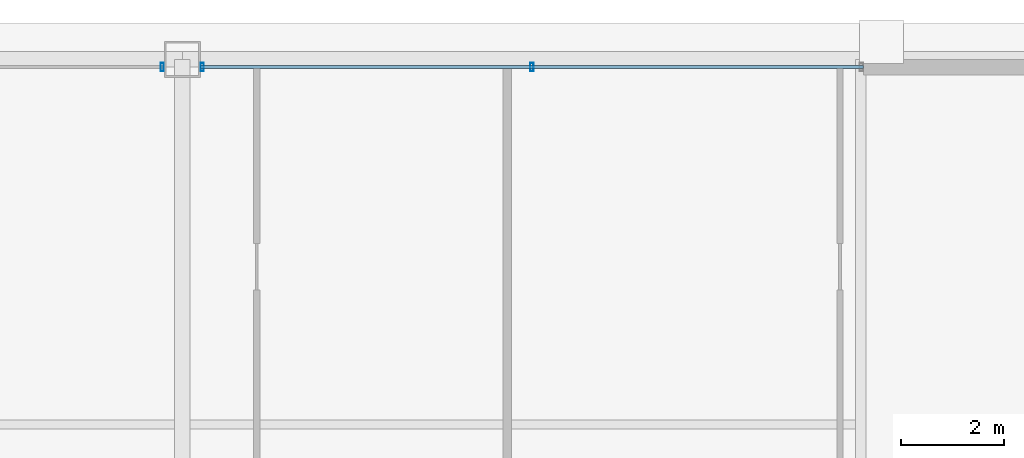
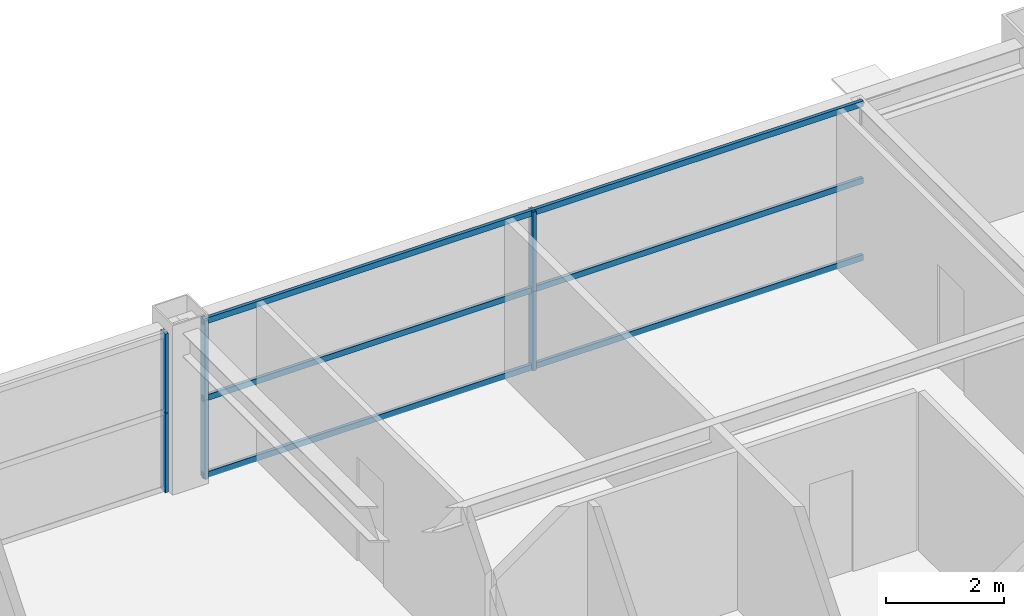
# One storey, part 28 of 37: 9 members, 2 elements without a shape of their own.
"""IFC4 building model written with IfcOpenShell, lengths in metres."""

from ifc_helpers import new_model, si_unit, direction, frame, origin, origin_2d, place, context, subcontext, project, spatial, hollow_rectangle, extrude, source, transform, mapped, material, layer, layer_set, material_profile, profile_set, type_object, element, aggregate, save


model = new_model("IFC4")

# Units and contexts
model_context = context("Model", 3, precision=1e-05, world=origin(), true_north=direction((0.0, 1.0)))
body_context = subcontext(model_context, "Body", "Model", "MODEL_VIEW")
ifc_project = project(units=[si_unit("LENGTHUNIT", "METRE"), si_unit("AREAUNIT", "SQUARE_METRE"), si_unit("VOLUMEUNIT", "CUBIC_METRE"), si_unit("PLANEANGLEUNIT", "RADIAN"), si_unit("MASSUNIT", "GRAM", prefix="KILO"), si_unit("THERMODYNAMICTEMPERATUREUNIT", "KELVIN"), si_unit("POWERUNIT", "WATT")], contexts=[model_context])

# Site, building, storey
site_placement = place(None, origin())
site = spatial("IfcSite", under=ifc_project, at=site_placement, CompositionType="ELEMENT")
building_placement = place(site_placement, origin())
building = spatial("IfcBuilding", under=site, at=building_placement, Name="Yuzanri Waterfront Tower", CompositionType="ELEMENT")
storey_placement = place(building_placement, frame((0.0, 0.0, 245.10009765625)))
storey = spatial("IfcBuildingStorey", under=building, at=storey_placement, Name="L65", CompositionType="ELEMENT", Elevation=245.10009765625)

# Curtain wall, members
ifc_material_1 = material(Name="Anodized Architectural Bronze", Category="metal")
ifc_layer = layer(ifc_material_1, 0.159912109375)
ifc_layer_set = layer_set([ifc_layer], Name="Anodized Architectural Bronze")
curtain_wall_type = type_object("IfcCurtainWallType", Name="Anodized Bronze Mid-Rise Residential Acoustic Unitized Curtain Wall 7200", PredefinedType="NOTDEFINED", material=ifc_layer_set)
curtain_wall_1_placement = place(storey_placement, origin())
curtain_wall_1 = element("IfcCurtainWall", 1, at=curtain_wall_1_placement, inside=storey, type_object=curtain_wall_type, Name="L65 Curtain Wall CW-L65-NL", PredefinedType="NOTDEFINED")
ifc_material_2 = material(Name="Anodized Architectural Bronze", Category="metal")
ifc_material_profile_1 = material_profile(ifc_material_2, hollow_rectangle(XDim=0.06494140625, YDim=0.159912109375, WallThickness=0.00341796875, at=origin_2d()), Name="CWM 65x160")
ifc_profile_set_1 = profile_set([ifc_material_profile_1], Name="Anodized Architectural Bronze")
member_type_1 = type_object("IfcMemberType", Name="Anodized Bronze Upper-Zone Curtain-Wall Mullion 65x160", PredefinedType="MULLION", material=ifc_profile_set_1)
shared_shape_1 = source(origin(), body_context, "Body", "SweptSolid", [
    extrude(hollow_rectangle(XDim=0.06494140625, YDim=0.159912109375, WallThickness=0.00341796875, at=origin_2d()), origin(), (0.0, 0.0, 1.0), 1.637939453125),
])
member_1_placement = place(storey_placement, frame((36.610107421875, 46.25, 0.0), z_axis=(0.0, 0.0, 1.0), x_axis=(1.0, 0.0, 0.0)))
member_1 = element("IfcMember", 2, at=member_1_placement, type_object=member_type_1, Name="CW-L65-NL Lower Mullion 02", PredefinedType="MULLION", context=body_context, shape_type="MappedRepresentation", body=[
    mapped(shared_shape_1, transform((0.0, 0.0, 0.0), scale=1.0)),
])
member_2_placement = place(storey_placement, frame((36.610107421875, 46.25, 1.641845703125), z_axis=(0.0, 0.0, 1.0), x_axis=(1.0, 0.0, 0.0)))
member_2 = element("IfcMember", 3, at=member_2_placement, type_object=member_type_1, Name="CW-L65-NL Upper Mullion 02", PredefinedType="MULLION", context=body_context, shape_type="MappedRepresentation", body=[
    mapped(shared_shape_1, transform((0.0, 0.0, 0.0), scale=1.0)),
])
aggregate(curtain_wall_1, [member_1, member_2])

curtain_wall_2_placement = place(storey_placement, origin())
curtain_wall_2 = element("IfcCurtainWall", 4, at=curtain_wall_2_placement, inside=storey, type_object=curtain_wall_type, Name="L65 Curtain Wall CW-L65-NR", PredefinedType="NOTDEFINED")
member_3_placement = place(storey_placement, frame((37.389892578125, 46.25, 0.0), z_axis=(0.0, 0.0, 1.0), x_axis=(1.0, 0.0, 0.0)))
member_3 = element("IfcMember", 5, at=member_3_placement, type_object=member_type_1, Name="CW-L65-NR Lower Mullion 00", PredefinedType="MULLION", context=body_context, shape_type="MappedRepresentation", body=[
    mapped(shared_shape_1, transform((0.0, 0.0, 0.0), scale=1.0)),
])
member_4_placement = place(storey_placement, frame((37.389892578125, 46.25, 1.641845703125), z_axis=(0.0, 0.0, 1.0), x_axis=(1.0, 0.0, 0.0)))
member_4 = element("IfcMember", 6, at=member_4_placement, type_object=member_type_1, Name="CW-L65-NR Upper Mullion 00", PredefinedType="MULLION", context=body_context, shape_type="MappedRepresentation", body=[
    mapped(shared_shape_1, transform((0.0, 0.0, 0.0), scale=1.0)),
])
member_5_placement = place(storey_placement, frame((43.800048828125, 46.25, 0.0), z_axis=(0.0, 0.0, 1.0), x_axis=(1.0, 0.0, 0.0)))
member_5 = element("IfcMember", 7, at=member_5_placement, type_object=member_type_1, Name="CW-L65-NR Lower Mullion 01", PredefinedType="MULLION", context=body_context, shape_type="MappedRepresentation", body=[
    mapped(shared_shape_1, transform((0.0, 0.0, 0.0), scale=1.0)),
])
member_6_placement = place(storey_placement, frame((43.800048828125, 46.25, 1.641845703125), z_axis=(0.0, 0.0, 1.0), x_axis=(1.0, 0.0, 0.0)))
member_6 = element("IfcMember", 8, at=member_6_placement, type_object=member_type_1, Name="CW-L65-NR Upper Mullion 01", PredefinedType="MULLION", context=body_context, shape_type="MappedRepresentation", body=[
    mapped(shared_shape_1, transform((0.0, 0.0, 0.0), scale=1.0)),
])
ifc_material_3 = material(Name="Anodized Architectural Bronze", Category="metal")
ifc_material_profile_2 = material_profile(ifc_material_3, hollow_rectangle(XDim=0.06494140625, YDim=0.1201171875, WallThickness=0.00341796875, at=origin_2d()), Name="CWT 65x120")
ifc_profile_set_2 = profile_set([ifc_material_profile_2], Name="Anodized Architectural Bronze")
member_type_2 = type_object("IfcMemberType", Name="Anodized Bronze Secondary Curtain-Wall Transom 65x120", PredefinedType="USERDEFINED", material=ifc_profile_set_2)
shared_shape_2 = source(origin(), body_context, "Body", "SweptSolid", [
    extrude(hollow_rectangle(XDim=0.06494140625, YDim=0.1201171875, WallThickness=0.00341796875, at=origin_2d()), origin(), (0.0, 0.0, 1.0), 12.89990234375),
])
member_7_placement = place(storey_placement, frame((37.35009765625, 46.25, 0.0498046875), z_axis=(1.0, 0.0, 0.0), x_axis=(0.0, 1.0, 0.0)))
member_7 = element("IfcMember", 9, at=member_7_placement, type_object=member_type_2, Name="CW-L65-NR Transom 1", ObjectType="TRANSOM", PredefinedType="USERDEFINED", context=body_context, shape_type="MappedRepresentation", body=[
    mapped(shared_shape_2, transform((0.0, 0.0, 0.0), scale=1.0)),
])
member_8_placement = place(storey_placement, frame((37.35009765625, 46.25, 1.639892578125), z_axis=(1.0, 0.0, 0.0), x_axis=(0.0, 1.0, 0.0)))
member_8 = element("IfcMember", 10, at=member_8_placement, type_object=member_type_2, Name="CW-L65-NR Transom 2", ObjectType="TRANSOM", PredefinedType="USERDEFINED", context=body_context, shape_type="MappedRepresentation", body=[
    mapped(shared_shape_2, transform((0.0, 0.0, 0.0), scale=1.0)),
])
member_9_placement = place(storey_placement, frame((37.35009765625, 46.25, 3.22998046875), z_axis=(1.0, 0.0, 0.0), x_axis=(0.0, 1.0, 0.0)))
member_9 = element("IfcMember", 11, at=member_9_placement, type_object=member_type_2, Name="CW-L65-NR Transom 3", ObjectType="TRANSOM", PredefinedType="USERDEFINED", context=body_context, shape_type="MappedRepresentation", body=[
    mapped(shared_shape_2, transform((0.0, 0.0, 0.0), scale=1.0)),
])
aggregate(curtain_wall_2, [member_3, member_4, member_5, member_6, member_7, member_8, member_9])

save(model, "model.ifc")
